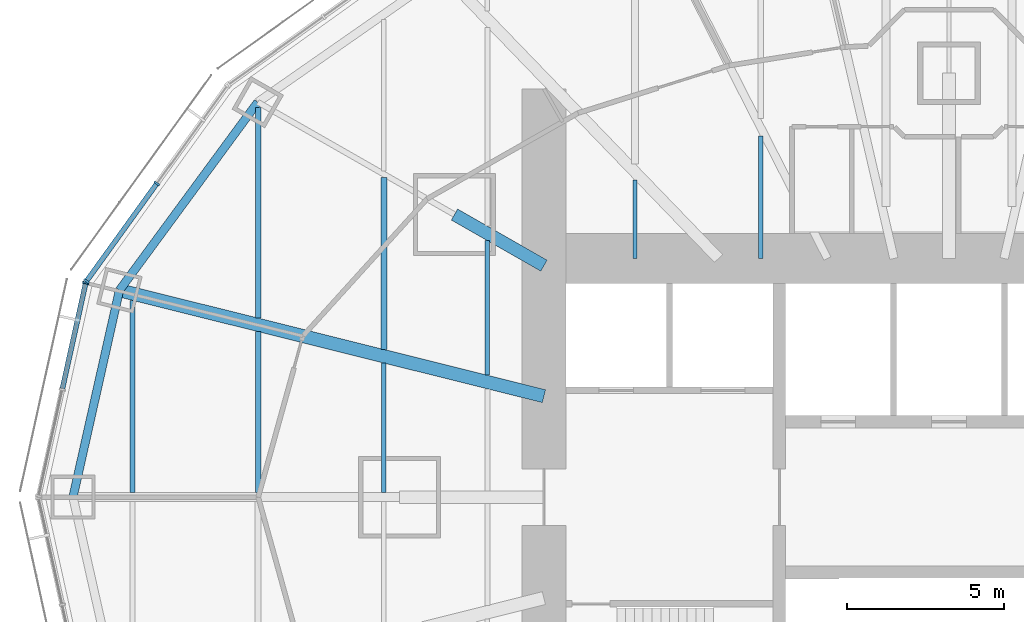
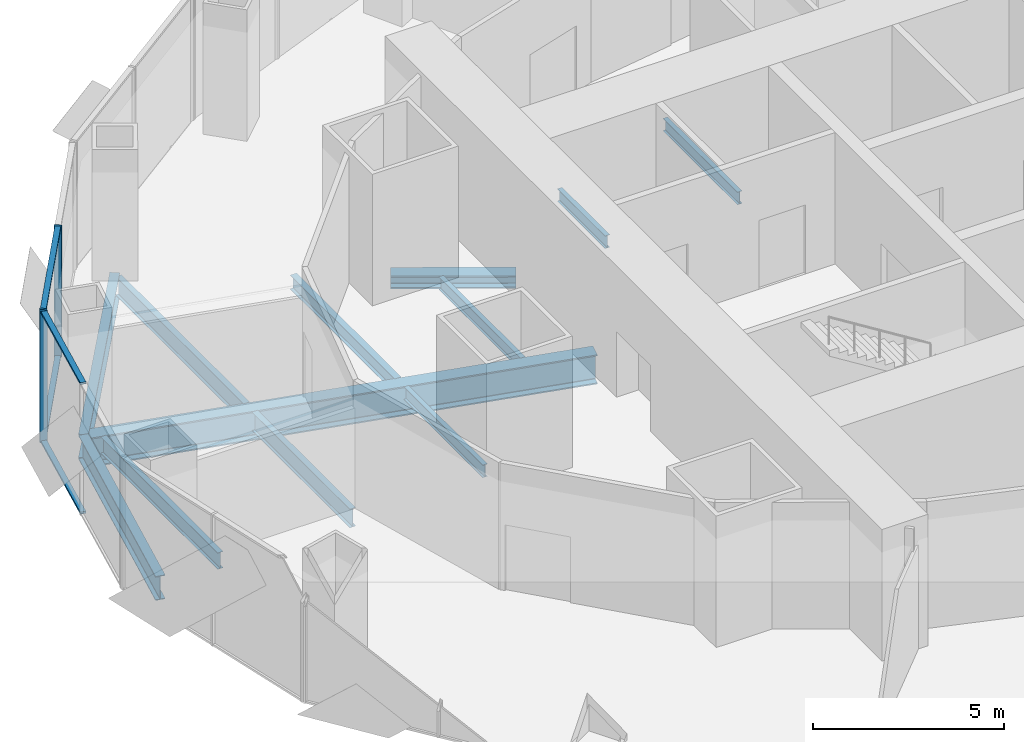
# One storey, part 4 of 18: 12 beams, 7 members, 2 elements without a shape of their own.
"""IFC4 building model written with IfcOpenShell, lengths in metres."""

from ifc_helpers import new_model, si_unit, direction, frame, origin, origin_2d, place, context, subcontext, project, spatial, rectangle, i_section, extrude, material, material_profile, profile_set, type_object, element, aggregate, save


model = new_model("IFC4")

# Units and contexts
model_context = context("Model", 3, precision=1e-05, world=origin(), true_north=direction((0.0, 1.0)))
body_context = subcontext(model_context, "Body", "Model", "MODEL_VIEW")
ifc_project = project(units=[si_unit("LENGTHUNIT", "METRE"), si_unit("AREAUNIT", "SQUARE_METRE"), si_unit("VOLUMEUNIT", "CUBIC_METRE"), si_unit("PLANEANGLEUNIT", "RADIAN"), si_unit("MASSUNIT", "GRAM", prefix="KILO")], contexts=[model_context])

# Site, building, storey
site_placement = place(None, origin())
site = spatial("IfcSite", under=ifc_project, at=site_placement, CompositionType="ELEMENT")
building_placement = place(site_placement, origin())
building = spatial("IfcBuilding", under=site, at=building_placement, Name="Lantaw Convention Tower", CompositionType="ELEMENT")
storey_placement = place(building_placement, frame((0.0, 0.0, 176.199951171875)))
storey = spatial("IfcBuildingStorey", under=building, at=storey_placement, Name="L41", CompositionType="ELEMENT", Elevation=176.199951171875)

# Beams
ifc_material_1 = material(Name="Steel ASTM A992", Category="steel")
ifc_material_profile_1 = material_profile(ifc_material_1, i_section(OverallWidth=0.2666015625, OverallDepth=0.76953125, WebThickness=0.015625, FlangeThickness=0.025390625, FilletRadius=0.0126953125, at=origin_2d()), Name="W30X132")
ifc_profile_set_1 = profile_set([ifc_material_profile_1], Name="Steel ASTM A992")
beam_type_1 = type_object("IfcBeamType", Name="Beam E W30X132", PredefinedType="SPANDREL", material=ifc_profile_set_1)
beam_1_placement = place(storey_placement, frame((-22.013916015625, 12.579345703125, -0.53466796875), z_axis=(-0.5923891972, -0.805651934176, 0.0), x_axis=(0.805651934176, -0.5923891972, 0.0)))
element("IfcBeam", 1, at=beam_1_placement, inside=storey, type_object=beam_type_1, Name="Edge beam 11", PredefinedType="SPANDREL", context=body_context, shape_type="SweptSolid", body=[
    extrude(i_section(OverallWidth=0.2666015625, OverallDepth=0.76953125, WebThickness=0.015625, FlangeThickness=0.025390625, FilletRadius=0.0126953125, at=origin_2d()), origin(), (0.0, 0.0, 1.0), 7.437744140625),
])
beam_2_placement = place(storey_placement, frame((-26.419921875, 6.587158203125, -0.53466796875), z_axis=(-0.219211877447, -0.975677279015, 0.0), x_axis=(0.975677279015, -0.219211877447, 0.0)))
element("IfcBeam", 2, at=beam_2_placement, inside=storey, type_object=beam_type_1, Name="Edge beam 12", PredefinedType="SPANDREL", context=body_context, shape_type="SweptSolid", body=[
    extrude(i_section(OverallWidth=0.2666015625, OverallDepth=0.76953125, WebThickness=0.015625, FlangeThickness=0.025390625, FilletRadius=0.0126953125, at=origin_2d()), origin(), (0.0, 0.0, 1.0), 6.75146484375),
])
ifc_material_profile_2 = material_profile(ifc_material_1, i_section(OverallWidth=0.421630859375, OverallDepth=0.937255859375, WebThickness=0.0224609375, FlangeThickness=0.039794921875, FilletRadius=0.02001953125, at=origin_2d()), Name="W36X282")
ifc_profile_set_2 = profile_set([ifc_material_profile_2], Name="Steel ASTM A992")
beam_type_2 = type_object("IfcBeamType", Name="Beam G W36X282", PredefinedType="BEAM", material=ifc_profile_set_2)
beam_3_placement = place(storey_placement, frame((-12.89990234375, 3.21630859375, -0.61865234375), z_axis=(-0.970296903132, 0.24191717544, 0.0), x_axis=(-0.24191717544, -0.970296903132, 0.0)))
element("IfcBeam", 3, at=beam_3_placement, inside=storey, type_object=beam_type_2, Name="Floor girder on ray 12", PredefinedType="BEAM", context=body_context, shape_type="SweptSolid", body=[
    extrude(i_section(OverallWidth=0.421630859375, OverallDepth=0.937255859375, WebThickness=0.0224609375, FlangeThickness=0.039794921875, FilletRadius=0.02001953125, at=origin_2d()), origin(), (0.0, 0.0, 1.0), 13.933837890625),
])
ifc_material_profile_3 = material_profile(ifc_material_1, i_section(OverallWidth=0.40380859375, OverallDepth=0.406494140625, WebThickness=0.027099609375, FlangeThickness=0.043701171875, FilletRadius=0.01513671875, at=origin_2d()), Name="W14X233")
ifc_profile_set_3 = profile_set([ifc_material_profile_3], Name="Steel ASTM A992")
beam_type_3 = type_object("IfcBeamType", Name="Beam GM W14X233", PredefinedType="BEAM", material=ifc_profile_set_3)
beam_4_placement = place(storey_placement, frame((-12.89990234375, 7.371337890625, -0.353271484375), z_axis=(-0.868238565244, 0.496146947811, 0.0), x_axis=(-0.496146947811, -0.868238565244, 0.0)))
element("IfcBeam", 4, at=beam_4_placement, inside=storey, type_object=beam_type_3, Name="Core link beam on ray 11", PredefinedType="BEAM", context=body_context, shape_type="SweptSolid", body=[
    extrude(i_section(OverallWidth=0.40380859375, OverallDepth=0.406494140625, WebThickness=0.027099609375, FlangeThickness=0.043701171875, FilletRadius=0.01513671875, at=origin_2d()), origin(), (0.0, 0.0, 1.0), 3.28271484375),
])
ifc_material_profile_4 = material_profile(ifc_material_1, i_section(OverallWidth=0.140380859375, OverallDepth=0.40380859375, WebThickness=0.007080078125, FlangeThickness=0.01123046875, FilletRadius=0.01025390625, at=origin_2d()), Name="W16X31")
ifc_profile_set_4 = profile_set([ifc_material_profile_4], Name="Steel ASTM A992")
beam_type_4 = type_object("IfcBeamType", Name="Beam J W16X31", PredefinedType="JOIST", material=ifc_profile_set_4)
beam_5_placement = place(storey_placement, frame((-18.0, 0.14599609375, -0.351806640625), z_axis=(0.0, 1.0, 0.0), x_axis=(-1.0, 0.0, 0.0)))
element("IfcBeam", 5, at=beam_5_placement, inside=storey, type_object=beam_type_4, Name="Floor joist", PredefinedType="JOIST", context=body_context, shape_type="SweptSolid", body=[
    extrude(i_section(OverallWidth=0.140380859375, OverallDepth=0.40380859375, WebThickness=0.007080078125, FlangeThickness=0.01123046875, FilletRadius=0.01025390625, at=origin_2d()), origin(), (0.0, 0.0, 1.0), 4.124755859375),
])
beam_6_placement = place(storey_placement, frame((-14.699951171875, 3.88232421875, -0.351806640625), z_axis=(0.0, 1.0, 0.0), x_axis=(-1.0, 0.0, 0.0)))
element("IfcBeam", 6, at=beam_6_placement, inside=storey, type_object=beam_type_4, Name="Floor joist", PredefinedType="JOIST", context=body_context, shape_type="SweptSolid", body=[
    extrude(i_section(OverallWidth=0.140380859375, OverallDepth=0.40380859375, WebThickness=0.007080078125, FlangeThickness=0.01123046875, FilletRadius=0.01025390625, at=origin_2d()), origin(), (0.0, 0.0, 1.0), 4.28515625),
])
beam_7_placement = place(storey_placement, frame((-10.0, 7.60009765625, -0.351806640625), z_axis=(0.0, 1.0, 0.0), x_axis=(-1.0, 0.0, 0.0)))
element("IfcBeam", 7, at=beam_7_placement, inside=storey, type_object=beam_type_4, Name="Floor joist", PredefinedType="JOIST", context=body_context, shape_type="SweptSolid", body=[
    extrude(i_section(OverallWidth=0.140380859375, OverallDepth=0.40380859375, WebThickness=0.007080078125, FlangeThickness=0.01123046875, FilletRadius=0.01025390625, at=origin_2d()), origin(), (0.0, 0.0, 1.0), 2.49560546875),
])
beam_8_placement = place(storey_placement, frame((-6.0, 7.60009765625, -0.351806640625), z_axis=(0.0, 1.0, 0.0), x_axis=(-1.0, 0.0, 0.0)))
element("IfcBeam", 8, at=beam_8_placement, inside=storey, type_object=beam_type_4, Name="Floor joist", PredefinedType="JOIST", context=body_context, shape_type="SweptSolid", body=[
    extrude(i_section(OverallWidth=0.140380859375, OverallDepth=0.40380859375, WebThickness=0.007080078125, FlangeThickness=0.01123046875, FilletRadius=0.01025390625, at=origin_2d()), origin(), (0.0, 0.0, 1.0), 3.895751953125),
])
ifc_material_profile_5 = material_profile(ifc_material_1, i_section(OverallWidth=0.1904296875, OverallDepth=0.457275390625, WebThickness=0.009033203125, FlangeThickness=0.014404296875, FilletRadius=0.01025390625, at=origin_2d()), Name="W18X50")
ifc_profile_set_5 = profile_set([ifc_material_profile_5], Name="Steel ASTM A992")
beam_type_5 = type_object("IfcBeamType", Name="Beam J W18X50", PredefinedType="JOIST", material=ifc_profile_set_5)
beam_9_placement = place(storey_placement, frame((-18.0, 4.705078125, -0.378662109375), z_axis=(0.0, 1.0, 0.0), x_axis=(-1.0, 0.0, 0.0)))
element("IfcBeam", 9, at=beam_9_placement, inside=storey, type_object=beam_type_5, Name="Floor joist", PredefinedType="JOIST", context=body_context, shape_type="SweptSolid", body=[
    extrude(i_section(OverallWidth=0.1904296875, OverallDepth=0.457275390625, WebThickness=0.009033203125, FlangeThickness=0.014404296875, FilletRadius=0.01025390625, at=origin_2d()), origin(), (0.0, 0.0, 1.0), 5.47802734375),
])
ifc_material_profile_6 = material_profile(ifc_material_1, i_section(OverallWidth=0.1650390625, OverallDepth=0.52587890625, WebThickness=0.0087890625, FlangeThickness=0.011474609375, FilletRadius=0.0126953125, at=origin_2d()), Name="W21X44")
ifc_profile_set_6 = profile_set([ifc_material_profile_6], Name="Steel ASTM A992")
beam_type_6 = type_object("IfcBeamType", Name="Beam J W21X44", PredefinedType="JOIST", material=ifc_profile_set_6)
beam_10_placement = place(storey_placement, frame((-26.0, 0.14599609375, -0.412841796875), z_axis=(0.0, 1.0, 0.0), x_axis=(-1.0, 0.0, 0.0)))
element("IfcBeam", 10, at=beam_10_placement, inside=storey, type_object=beam_type_6, Name="Floor joist", PredefinedType="JOIST", context=body_context, shape_type="SweptSolid", body=[
    extrude(i_section(OverallWidth=0.1650390625, OverallDepth=0.52587890625, WebThickness=0.0087890625, FlangeThickness=0.011474609375, FilletRadius=0.0126953125, at=origin_2d()), origin(), (0.0, 0.0, 1.0), 6.119140625),
])
ifc_material_profile_7 = material_profile(ifc_material_1, i_section(OverallWidth=0.177978515625, OverallDepth=0.599365234375, WebThickness=0.010009765625, FlangeThickness=0.012939453125, FilletRadius=0.012939453125, at=origin_2d()), Name="W24X55")
ifc_profile_set_7 = profile_set([ifc_material_profile_7], Name="Steel ASTM A992")
beam_type_7 = type_object("IfcBeamType", Name="Beam J W24X55", PredefinedType="JOIST", material=ifc_profile_set_7)
beam_11_placement = place(storey_placement, frame((-22.0, 0.14599609375, -0.44970703125), z_axis=(0.0, 1.0, 0.0), x_axis=(-1.0, 0.0, 0.0)))
element("IfcBeam", 11, at=beam_11_placement, inside=storey, type_object=beam_type_7, Name="Floor joist", PredefinedType="JOIST", context=body_context, shape_type="SweptSolid", body=[
    extrude(i_section(OverallWidth=0.177978515625, OverallDepth=0.599365234375, WebThickness=0.010009765625, FlangeThickness=0.012939453125, FilletRadius=0.012939453125, at=origin_2d()), origin(), (0.0, 0.0, 1.0), 5.121826171875),
])
beam_12_placement = place(storey_placement, frame((-22.0, 5.702392578125, -0.44970703125), z_axis=(0.0, 1.0, 0.0), x_axis=(-1.0, 0.0, 0.0)))
element("IfcBeam", 12, at=beam_12_placement, inside=storey, type_object=beam_type_7, Name="Floor joist", PredefinedType="JOIST", context=body_context, shape_type="SweptSolid", body=[
    extrude(i_section(OverallWidth=0.177978515625, OverallDepth=0.599365234375, WebThickness=0.010009765625, FlangeThickness=0.012939453125, FilletRadius=0.012939453125, at=origin_2d()), origin(), (0.0, 0.0, 1.0), 6.70654296875),
])

# Curtain wall, members
ifc_material_2 = material(Name="Aluminium framed curtain wall", Category="aluminium")
curtain_wall_type = type_object("IfcCurtainWallType", Name="Office curtain wall low rise, pale aluminium", PredefinedType="USERDEFINED", material=ifc_material_2)
curtain_wall_1_placement = place(storey_placement, origin())
curtain_wall_1 = element("IfcCurtainWall", 13, at=curtain_wall_1_placement, inside=storey, type_object=curtain_wall_type, Name="Office curtain wall low rise, pale aluminium L41", ObjectType="UNITISED CURTAIN WALL", PredefinedType="USERDEFINED")
ifc_material_3 = material(Name="Aluminium 6063-T6", Category="aluminium")
ifc_material_profile_8 = material_profile(ifc_material_3, rectangle(XDim=0.199951171875, YDim=0.06494140625, at=origin_2d()), Name="CW-O1 mullion 65x200")
ifc_profile_set_8 = profile_set([ifc_material_profile_8], Name="Aluminium 6063-T6")
member_type_1 = type_object("IfcMemberType", Name="CW-O1 mullion 65x200", PredefinedType="MULLION", material=ifc_profile_set_8)
member_1_placement = place(storey_placement, frame((-25.22802734375, 9.9892578125, -0.14990234375), z_axis=(0.0, 0.0, 1.0), x_axis=(0.811384633629, -0.584512597221, 0.0)))
member_1 = element("IfcMember", 14, at=member_1_placement, type_object=member_type_1, Name="CW-O1 mullion 2", PredefinedType="MULLION", context=body_context, shape_type="SweptSolid", body=[
    extrude(rectangle(XDim=0.199951171875, YDim=0.06494140625, at=origin_2d()), origin(), (0.0, 0.0, 1.0), 4.199951171875),
])
member_2_placement = place(storey_placement, frame((-27.46826171875, 6.879638671875, -0.14990234375), z_axis=(0.0, 0.0, 1.0), x_axis=(0.811384633629, -0.584512597221, 0.0)))
member_2 = element("IfcMember", 15, at=member_2_placement, type_object=member_type_1, Name="CW-O1 mullion 3", PredefinedType="MULLION", context=body_context, shape_type="SweptSolid", body=[
    extrude(rectangle(XDim=0.199951171875, YDim=0.06494140625, at=origin_2d()), origin(), (0.0, 0.0, 1.0), 4.199951171875),
])

# Curtain wall, member
curtain_wall_2_placement = place(storey_placement, origin())
curtain_wall_2 = element("IfcCurtainWall", 16, at=curtain_wall_2_placement, inside=storey, type_object=curtain_wall_type, Name="Office curtain wall low rise, pale aluminium L41", ObjectType="UNITISED CURTAIN WALL", PredefinedType="USERDEFINED")
member_3_placement = place(storey_placement, frame((-27.494140625, 6.821533203125, -0.14990234375), z_axis=(0.0, 0.0, 1.0), x_axis=(0.9764936509, -0.215546166174, 0.0)))
member_3 = element("IfcMember", 17, at=member_3_placement, type_object=member_type_1, Name="CW-O1 mullion 1", PredefinedType="MULLION", context=body_context, shape_type="SweptSolid", body=[
    extrude(rectangle(XDim=0.199951171875, YDim=0.06494140625, at=origin_2d()), origin(), (0.0, 0.0, 1.0), 4.199951171875),
])

# Member
ifc_material_profile_9 = material_profile(ifc_material_3, rectangle(XDim=0.159912109375, YDim=0.06494140625, at=origin_2d()), Name="CW-O1 transom 65x160")
ifc_profile_set_9 = profile_set([ifc_material_profile_9], Name="Aluminium 6063-T6")
member_type_2 = type_object("IfcMemberType", Name="CW-O1 transom 65x160", PredefinedType="USERDEFINED", material=ifc_profile_set_9)
member_4_placement = place(storey_placement, frame((-25.2470703125, 9.962890625, -0.117431640625), z_axis=(-0.584512973979, -0.811384362217, 0.0), x_axis=(0.811384362217, -0.584512973979, 0.0)))
member_4 = element("IfcMember", 18, at=member_4_placement, type_object=member_type_2, Name="CW-O1 transom 2.1", ObjectType="TRANSOM", PredefinedType="USERDEFINED", context=body_context, shape_type="SweptSolid", body=[
    extrude(rectangle(XDim=0.159912109375, YDim=0.06494140625, at=origin_2d()), origin(), (0.0, 0.0, 1.0), 3.767578125),
])

member_5_placement = place(storey_placement, frame((-25.2470703125, 9.962890625, 4.017578125), z_axis=(-0.584512973979, -0.811384362217, 0.0), x_axis=(0.811384362217, -0.584512973979, 0.0)))
member_5 = element("IfcMember", 19, at=member_5_placement, type_object=member_type_2, Name="CW-O1 transom 2.2", ObjectType="TRANSOM", PredefinedType="USERDEFINED", context=body_context, shape_type="SweptSolid", body=[
    extrude(rectangle(XDim=0.159912109375, YDim=0.06494140625, at=origin_2d()), origin(), (0.0, 0.0, 1.0), 3.767578125),
])

aggregate(curtain_wall_1, [member_1, member_2, member_4, member_5])

member_6_placement = place(storey_placement, frame((-27.501220703125, 6.789794921875, -0.117431640625), z_axis=(-0.21555115847, -0.976492548913, 0.0), x_axis=(0.976492548913, -0.21555115847, 0.0)))
member_6 = element("IfcMember", 20, at=member_6_placement, type_object=member_type_2, Name="CW-O1 transom 1.1", ObjectType="TRANSOM", PredefinedType="USERDEFINED", context=body_context, shape_type="SweptSolid", body=[
    extrude(rectangle(XDim=0.159912109375, YDim=0.06494140625, at=origin_2d()), origin(), (0.0, 0.0, 1.0), 3.411376953125),
])

member_7_placement = place(storey_placement, frame((-27.501220703125, 6.789794921875, 4.017578125), z_axis=(-0.21555115847, -0.976492548913, 0.0), x_axis=(0.976492548913, -0.21555115847, 0.0)))
member_7 = element("IfcMember", 21, at=member_7_placement, type_object=member_type_2, Name="CW-O1 transom 1.2", ObjectType="TRANSOM", PredefinedType="USERDEFINED", context=body_context, shape_type="SweptSolid", body=[
    extrude(rectangle(XDim=0.159912109375, YDim=0.06494140625, at=origin_2d()), origin(), (0.0, 0.0, 1.0), 3.411376953125),
])

aggregate(curtain_wall_2, [member_3, member_6, member_7])

save(model, "model.ifc")
